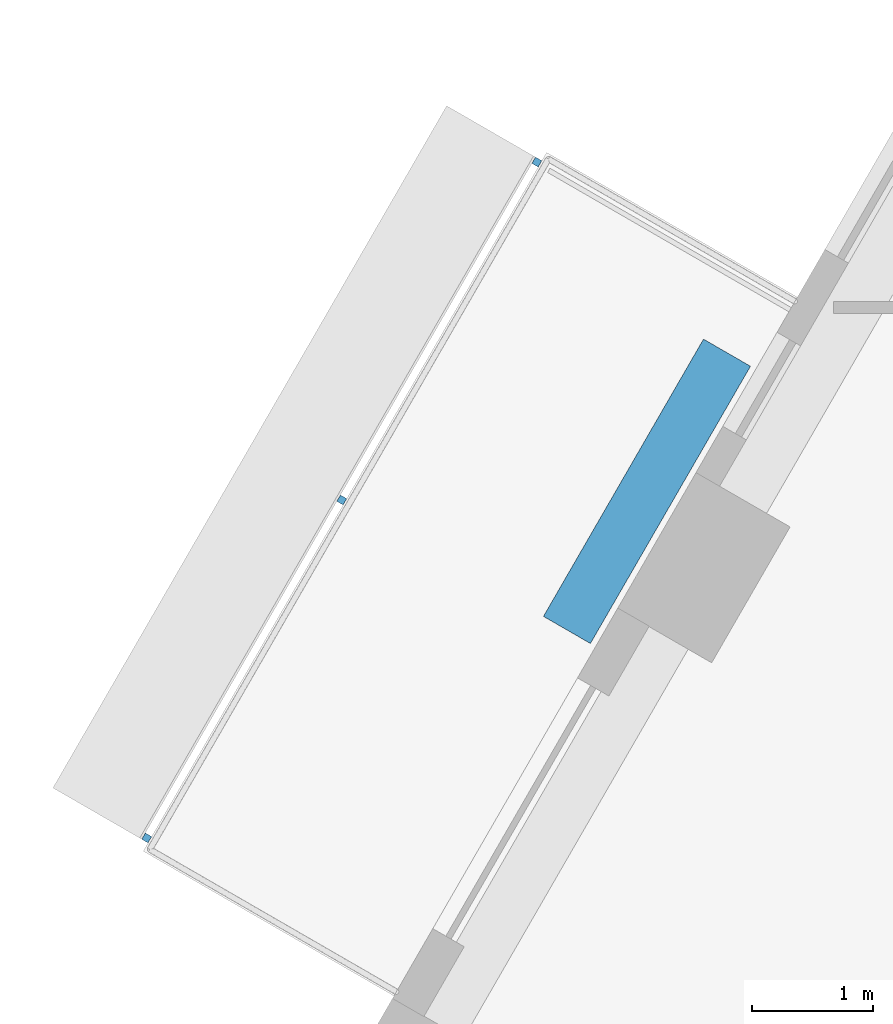
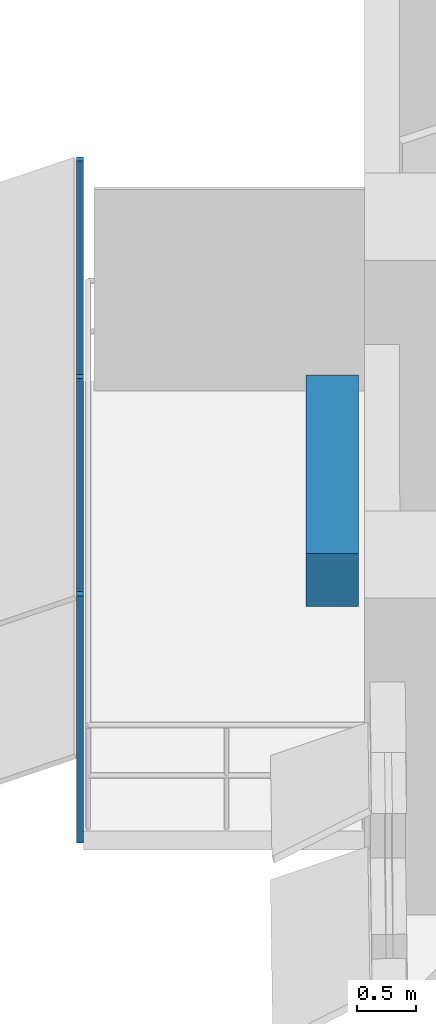
# One storey, part 10 of 13: 4 discrete accessories.
"""IFC4 building model written with IfcOpenShell, lengths in metres."""

from ifc_helpers import new_model, si_unit, direction, frame, origin, origin_2d, place, context, subcontext, project, spatial, rectangle, extrude, material, type_object, element, save


model = new_model("IFC4")

# Units and contexts
model_context = context("Model", 3, precision=1e-05, world=origin(), true_north=direction((0.0, 1.0)))
body_context = subcontext(model_context, "Body", "Model", "MODEL_VIEW")
ifc_project = project(units=[si_unit("LENGTHUNIT", "METRE"), si_unit("AREAUNIT", "SQUARE_METRE"), si_unit("VOLUMEUNIT", "CUBIC_METRE"), si_unit("PLANEANGLEUNIT", "RADIAN"), si_unit("MASSUNIT", "GRAM", prefix="KILO")], contexts=[model_context])

# Site, building, storey
site_placement = place(None, origin())
site = spatial("IfcSite", under=ifc_project, at=site_placement, CompositionType="ELEMENT")
building_placement = place(site_placement, origin())
building = spatial("IfcBuilding", under=site, at=building_placement, Name="Nakaniwa Court", CompositionType="ELEMENT")
storey_placement = place(building_placement, frame((0.0, 0.0, 150.300048828125)))
storey = spatial("IfcBuildingStorey", under=building, at=storey_placement, Name="L39", CompositionType="ELEMENT", Elevation=150.300048828125)

# Discrete accessories
ifc_material_1 = material(Name="Black powder-coated steel bracket S275", Category="steel")
discrete_accessory_type_1 = type_object("IfcDiscreteAccessoryType", Name="Black metal louvre bracket", PredefinedType="BRACKET", material=ifc_material_1)
for number, where, z_axis, x_axis, name in (
    (1, (58.307373046875, 95.287353515625, -0.22998046875), (0.0, 0.0, 1.0), (-0.499975815814, -0.866039366081, 0.0), "L39 louvre bracket 01 1"),
    (2, (56.690185546875, 92.486328125, -0.22998046875), (0.0, 0.0, 1.0), (-0.499975815814, -0.866039366081, 0.0), "L39 louvre bracket 01 2"),
    (3, (55.072998046875, 89.68505859375, -0.22998046875), (0.0, 0.0, 1.0), (-0.499975815814, -0.866039366081, 0.0), "L39 louvre bracket 01 3"),
):
    element("IfcDiscreteAccessory", number, at=place(storey_placement, frame(where, z_axis=z_axis, x_axis=x_axis)), inside=storey, type_object=discrete_accessory_type_1, Name=name, PredefinedType="BRACKET", context=body_context, shape_type="SweptSolid", body=[
        extrude(rectangle(XDim=0.06005859375, YDim=0.06005859375, at=origin_2d()), origin(), (0.0, 0.0, 1.0), 2.5751953125),
    ])
ifc_material_2 = material(Name="Precast concrete C40/50 planter with planted soil", Category="concrete")
discrete_accessory_type_2 = type_object("IfcDiscreteAccessoryType", Name="Planter box charcoal concrete", PredefinedType="USERDEFINED", material=ifc_material_2)
discrete_accessory_placement = place(storey_placement, frame((59.219970703125, 92.55810546875, -0.05029296875), z_axis=(0.0, 0.0, 1.0), x_axis=(-0.499975815814, -0.866039366081, 0.0)))
element("IfcDiscreteAccessory", 4, at=discrete_accessory_placement, inside=storey, type_object=discrete_accessory_type_2, Name="L39 balcony PLANTER 01", ObjectType="PLANTER", PredefinedType="USERDEFINED", context=body_context, shape_type="SweptSolid", body=[
    extrude(rectangle(XDim=2.654296875, YDim=0.449951171875, at=origin_2d()), origin(), (0.0, 0.0, 1.0), 0.550048828125),
])

save(model, "model.ifc")
